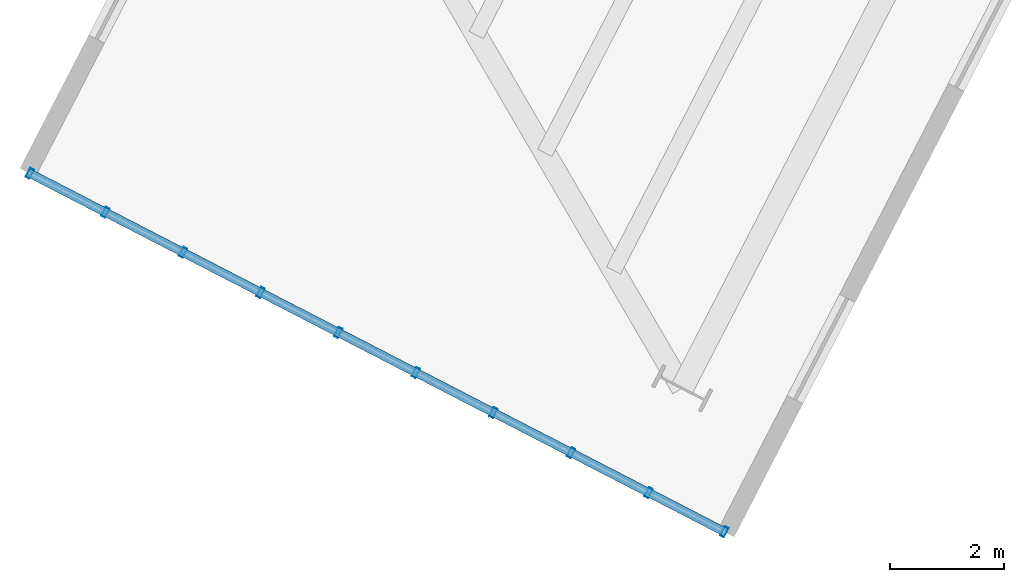
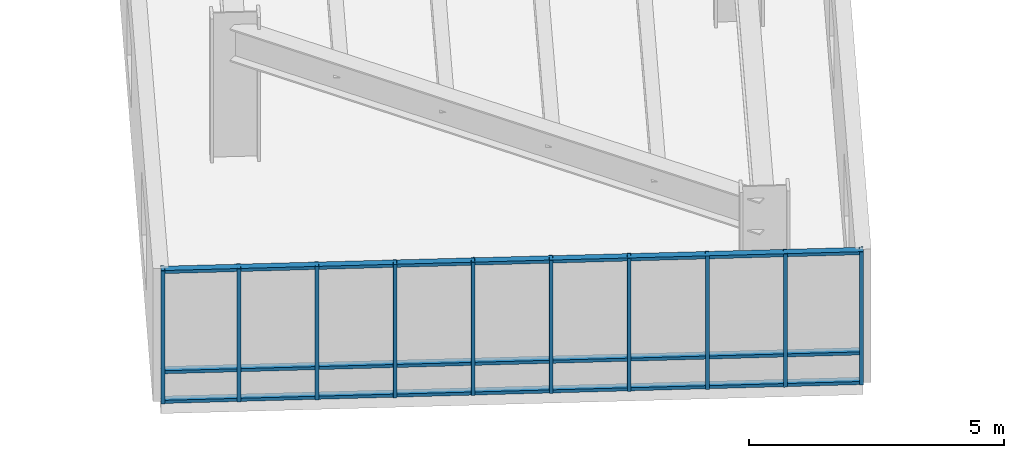
# One storey, part 2 of 10: 13 members, 1 element without a shape of its own.
"""IFC4 building model written with IfcOpenShell, lengths in metres."""

from ifc_helpers import new_model, si_unit, direction, frame, origin, origin_2d, place, context, subcontext, project, spatial, hollow_rectangle, extrude, material, layer, layer_set, material_profile, profile_set, type_object, element, aggregate, save


model = new_model("IFC4")

# Units and contexts
model_context = context("Model", 3, precision=1e-05, world=origin(), true_north=direction((0.0, 1.0)))
body_context = subcontext(model_context, "Body", "Model", "MODEL_VIEW")
ifc_project = project(units=[si_unit("LENGTHUNIT", "METRE"), si_unit("AREAUNIT", "SQUARE_METRE"), si_unit("VOLUMEUNIT", "CUBIC_METRE"), si_unit("PLANEANGLEUNIT", "RADIAN"), si_unit("MASSUNIT", "GRAM", prefix="KILO"), si_unit("THERMODYNAMICTEMPERATUREUNIT", "KELVIN"), si_unit("POWERUNIT", "WATT")], contexts=[model_context])

# Site, building, storey
site_placement = place(None, origin())
site = spatial("IfcSite", under=ifc_project, at=site_placement, CompositionType="ELEMENT")
building_placement = place(site_placement, origin())
building = spatial("IfcBuilding", under=site, at=building_placement, Name="Skarre Station Tower", CompositionType="ELEMENT")
storey_placement = place(building_placement, frame((0.0, 0.0, 180.89990234375)))
storey = spatial("IfcBuildingStorey", under=building, at=storey_placement, Name="L49", CompositionType="ELEMENT", Elevation=180.89990234375)

# Curtain wall, members
ifc_material_1 = material(Name="Thermally Broken Bronze-Anodized Aluminium & Triple Low-E Glass", Category="aluminium")
ifc_layer = layer(ifc_material_1, 0.2099609375, Name="Thermally Broken Bronze-Anodized Aluminium & Triple Low-E Glass")
ifc_layer_set = layer_set([ifc_layer], Name="Thermally Broken Bronze-Anodized Aluminium & Triple Low-E Glass")
curtain_wall_type = type_object("IfcCurtainWallType", Name="Sky-Bar Prow Structural Glazed Curtain Wall", PredefinedType="NOTDEFINED", material=ifc_layer_set)
curtain_wall_placement = place(storey_placement, origin())
curtain_wall = element("IfcCurtainWall", 1, at=curtain_wall_placement, inside=storey, type_object=curtain_wall_type, Name="L49 SB-4 Lakefront Prow Curtain Wall", PredefinedType="NOTDEFINED")
ifc_material_2 = material(Name="Anodized Aluminium 6063-T6", Category="aluminium")
ifc_material_profile_1 = material_profile(ifc_material_2, hollow_rectangle(XDim=0.074951171875, YDim=0.14990234375, WallThickness=0.00390625, at=origin_2d()), Name="Anodized Aluminium 6063-T6")
ifc_profile_set_1 = profile_set([ifc_material_profile_1], Name="Anodized Aluminium 6063-T6")
member_type_1 = type_object("IfcMemberType", Name="Curtain-Wall Secondary Transom 150x75", PredefinedType="USERDEFINED", material=ifc_profile_set_1)
member_1_placement = place(storey_placement, frame((22.139892578125, -11.3759765625, 0.0400390625), z_axis=(-0.888632519013, 0.458619936498, 0.0), x_axis=(0.0, 0.0, 1.0)))
member_1 = element("IfcMember", 2, at=member_1_placement, type_object=member_type_1, Name="L49 SB-4 Lakefront Prow Curtain Wall Transom 1", ObjectType="TRANSOM", PredefinedType="USERDEFINED", context=body_context, shape_type="SweptSolid", body=[
    extrude(hollow_rectangle(XDim=0.074951171875, YDim=0.14990234375, WallThickness=0.00390625, at=origin_2d()), origin(), (0.0, 0.0, 1.0), 13.7998046875),
])
member_2_placement = place(storey_placement, frame((22.139892578125, -11.3759765625, 0.75), z_axis=(-0.888632519013, 0.458619936498, 0.0), x_axis=(0.0, 0.0, 1.0)))
member_2 = element("IfcMember", 3, at=member_2_placement, type_object=member_type_1, Name="L49 SB-4 Lakefront Prow Curtain Wall Transom 2", ObjectType="TRANSOM", PredefinedType="USERDEFINED", context=body_context, shape_type="SweptSolid", body=[
    extrude(hollow_rectangle(XDim=0.074951171875, YDim=0.14990234375, WallThickness=0.00390625, at=origin_2d()), origin(), (0.0, 0.0, 1.0), 13.7998046875),
])
member_3_placement = place(storey_placement, frame((22.139892578125, -11.3759765625, 3.150146484375), z_axis=(-0.888632519013, 0.458619936498, 0.0), x_axis=(0.0, 0.0, 1.0)))
member_3 = element("IfcMember", 4, at=member_3_placement, type_object=member_type_1, Name="L49 SB-4 Lakefront Prow Curtain Wall Transom 3", ObjectType="TRANSOM", PredefinedType="USERDEFINED", context=body_context, shape_type="SweptSolid", body=[
    extrude(hollow_rectangle(XDim=0.074951171875, YDim=0.14990234375, WallThickness=0.00390625, at=origin_2d()), origin(), (0.0, 0.0, 1.0), 13.7998046875),
])
ifc_material_profile_2 = material_profile(ifc_material_2, hollow_rectangle(XDim=0.074951171875, YDim=0.179931640625, WallThickness=0.00390625, at=origin_2d()), Name="Anodized Aluminium 6063-T6")
ifc_profile_set_2 = profile_set([ifc_material_profile_2], Name="Anodized Aluminium 6063-T6")
member_type_2 = type_object("IfcMemberType", Name="Curtain-Wall Unitised Tower Mullion 180x75", PredefinedType="MULLION", material=ifc_profile_set_2)
member_4_placement = place(storey_placement, frame((22.10400390625, -11.35791015625, 0.0), z_axis=(0.0, 0.0, 1.0), x_axis=(-0.888625237464, 0.458634045118, 0.0)))
member_4 = element("IfcMember", 5, at=member_4_placement, type_object=member_type_2, Name="L49 SB-4 Lakefront Prow Curtain Wall Mullion 1", PredefinedType="MULLION", context=body_context, shape_type="SweptSolid", body=[
    extrude(hollow_rectangle(XDim=0.074951171875, YDim=0.179931640625, WallThickness=0.00390625, at=origin_2d()), origin(), (0.0, 0.0, 1.0), 3.190185546875),
])
member_5_placement = place(storey_placement, frame((20.777099609375, -10.673095703125, 0.0), z_axis=(0.0, 0.0, 1.0), x_axis=(-0.888625237464, 0.458634045118, 0.0)))
member_5 = element("IfcMember", 6, at=member_5_placement, type_object=member_type_2, Name="L49 SB-4 Lakefront Prow Curtain Wall Mullion 2", PredefinedType="MULLION", context=body_context, shape_type="SweptSolid", body=[
    extrude(hollow_rectangle(XDim=0.074951171875, YDim=0.179931640625, WallThickness=0.00390625, at=origin_2d()), origin(), (0.0, 0.0, 1.0), 3.190185546875),
])
member_6_placement = place(storey_placement, frame((19.4150390625, -9.969970703125, 0.0), z_axis=(0.0, 0.0, 1.0), x_axis=(-0.888625237464, 0.458634045118, 0.0)))
member_6 = element("IfcMember", 7, at=member_6_placement, type_object=member_type_2, Name="L49 SB-4 Lakefront Prow Curtain Wall Mullion 3", PredefinedType="MULLION", context=body_context, shape_type="SweptSolid", body=[
    extrude(hollow_rectangle(XDim=0.074951171875, YDim=0.179931640625, WallThickness=0.00390625, at=origin_2d()), origin(), (0.0, 0.0, 1.0), 3.190185546875),
])
member_7_placement = place(storey_placement, frame((18.052001953125, -9.26611328125, 0.0), z_axis=(0.0, 0.0, 1.0), x_axis=(-0.888625237464, 0.458634045118, 0.0)))
member_7 = element("IfcMember", 8, at=member_7_placement, type_object=member_type_2, Name="L49 SB-4 Lakefront Prow Curtain Wall Mullion 4", PredefinedType="MULLION", context=body_context, shape_type="SweptSolid", body=[
    extrude(hollow_rectangle(XDim=0.074951171875, YDim=0.179931640625, WallThickness=0.00390625, at=origin_2d()), origin(), (0.0, 0.0, 1.0), 3.190185546875),
])
member_8_placement = place(storey_placement, frame((16.68994140625, -8.56298828125, 0.0), z_axis=(0.0, 0.0, 1.0), x_axis=(-0.888625237464, 0.458634045118, 0.0)))
member_8 = element("IfcMember", 9, at=member_8_placement, type_object=member_type_2, Name="L49 SB-4 Lakefront Prow Curtain Wall Mullion 5", PredefinedType="MULLION", context=body_context, shape_type="SweptSolid", body=[
    extrude(hollow_rectangle(XDim=0.074951171875, YDim=0.179931640625, WallThickness=0.00390625, at=origin_2d()), origin(), (0.0, 0.0, 1.0), 3.190185546875),
])
member_9_placement = place(storey_placement, frame((15.326904296875, -7.860107421875, 0.0), z_axis=(0.0, 0.0, 1.0), x_axis=(-0.888625237464, 0.458634045118, 0.0)))
member_9 = element("IfcMember", 10, at=member_9_placement, type_object=member_type_2, Name="L49 SB-4 Lakefront Prow Curtain Wall Mullion 6", PredefinedType="MULLION", context=body_context, shape_type="SweptSolid", body=[
    extrude(hollow_rectangle(XDim=0.074951171875, YDim=0.179931640625, WallThickness=0.00390625, at=origin_2d()), origin(), (0.0, 0.0, 1.0), 3.190185546875),
])
member_10_placement = place(storey_placement, frame((13.965087890625, -7.156982421875, 0.0), z_axis=(0.0, 0.0, 1.0), x_axis=(-0.888625237464, 0.458634045118, 0.0)))
member_10 = element("IfcMember", 11, at=member_10_placement, type_object=member_type_2, Name="L49 SB-4 Lakefront Prow Curtain Wall Mullion 7", PredefinedType="MULLION", context=body_context, shape_type="SweptSolid", body=[
    extrude(hollow_rectangle(XDim=0.074951171875, YDim=0.179931640625, WallThickness=0.00390625, at=origin_2d()), origin(), (0.0, 0.0, 1.0), 3.190185546875),
])
member_11_placement = place(storey_placement, frame((12.60205078125, -6.452880859375, 0.0), z_axis=(0.0, 0.0, 1.0), x_axis=(-0.888625237464, 0.458634045118, 0.0)))
member_11 = element("IfcMember", 12, at=member_11_placement, type_object=member_type_2, Name="L49 SB-4 Lakefront Prow Curtain Wall Mullion 8", PredefinedType="MULLION", context=body_context, shape_type="SweptSolid", body=[
    extrude(hollow_rectangle(XDim=0.074951171875, YDim=0.179931640625, WallThickness=0.00390625, at=origin_2d()), origin(), (0.0, 0.0, 1.0), 3.190185546875),
])
member_12_placement = place(storey_placement, frame((11.239990234375, -5.75, 0.0), z_axis=(0.0, 0.0, 1.0), x_axis=(-0.888625237464, 0.458634045118, 0.0)))
member_12 = element("IfcMember", 13, at=member_12_placement, type_object=member_type_2, Name="L49 SB-4 Lakefront Prow Curtain Wall Mullion 9", PredefinedType="MULLION", context=body_context, shape_type="SweptSolid", body=[
    extrude(hollow_rectangle(XDim=0.074951171875, YDim=0.179931640625, WallThickness=0.00390625, at=origin_2d()), origin(), (0.0, 0.0, 1.0), 3.190185546875),
])
member_13_placement = place(storey_placement, frame((9.9130859375, -5.06494140625, 0.0), z_axis=(0.0, 0.0, 1.0), x_axis=(-0.888625237464, 0.458634045118, 0.0)))
member_13 = element("IfcMember", 14, at=member_13_placement, type_object=member_type_2, Name="L49 SB-4 Lakefront Prow Curtain Wall Mullion 10", PredefinedType="MULLION", context=body_context, shape_type="SweptSolid", body=[
    extrude(hollow_rectangle(XDim=0.074951171875, YDim=0.179931640625, WallThickness=0.00390625, at=origin_2d()), origin(), (0.0, 0.0, 1.0), 3.190185546875),
])
aggregate(curtain_wall, [member_4, member_5, member_6, member_7, member_8, member_9, member_10, member_11, member_12, member_13, member_1, member_2, member_3])

save(model, "model.ifc")
